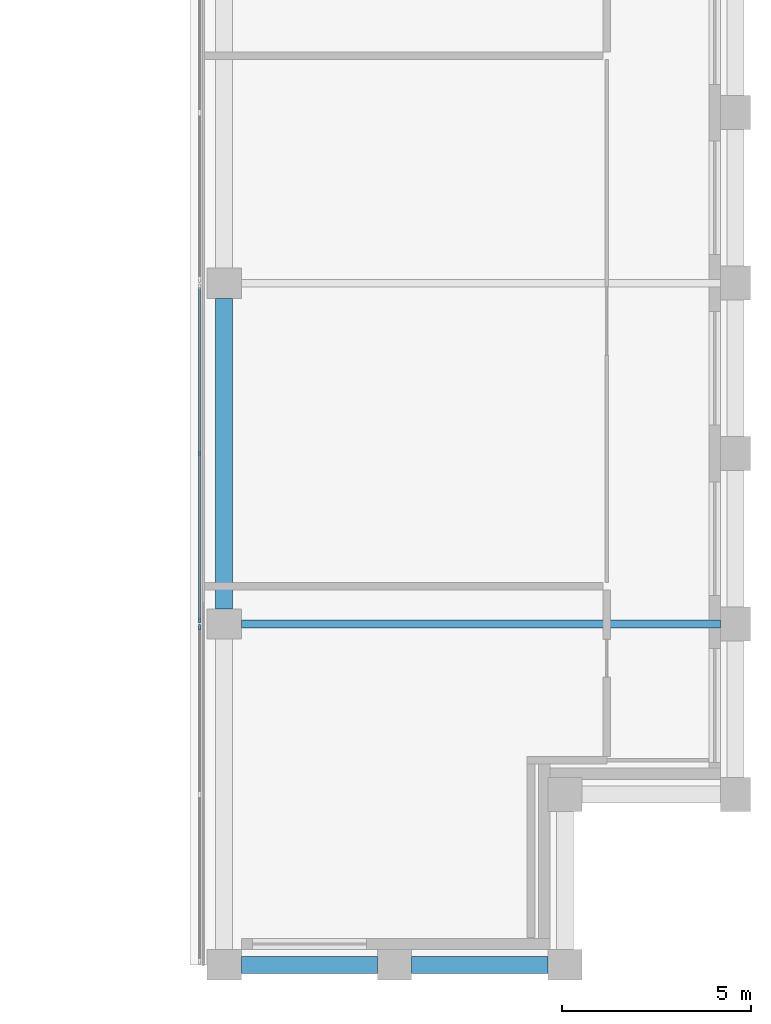
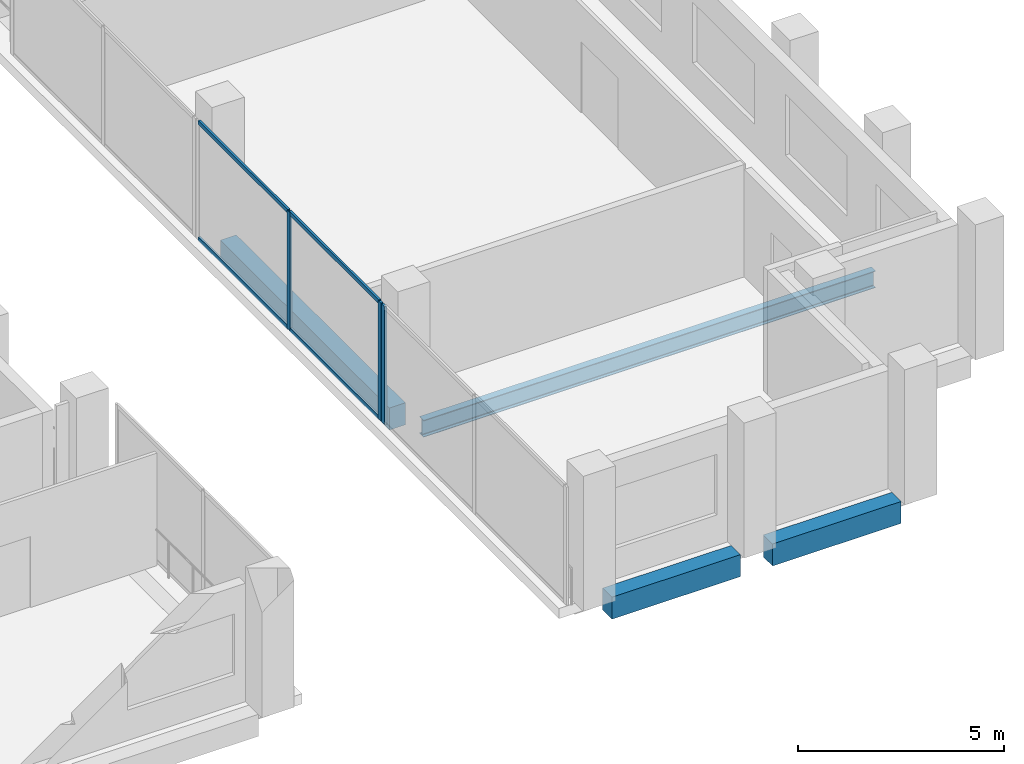
# One storey, part 3 of 9: 7 members, 4 beams, 2 elements without a shape of their own.
"""IFC4 building model written with IfcOpenShell, lengths in metres."""

from ifc_helpers import new_model, si_unit, direction, frame, origin, origin_2d, place, context, subcontext, project, spatial, rectangle, i_section, extrude, material, material_profile, profile_set, type_object, element, aggregate, save


model = new_model("IFC4")

# Units and contexts
model_context = context("Model", 3, precision=1e-05, world=origin(), true_north=direction((0.0, 1.0)))
body_context = subcontext(model_context, "Body", "Model", "MODEL_VIEW")
ifc_project = project(units=[si_unit("LENGTHUNIT", "METRE"), si_unit("AREAUNIT", "SQUARE_METRE"), si_unit("VOLUMEUNIT", "CUBIC_METRE"), si_unit("PLANEANGLEUNIT", "RADIAN"), si_unit("MASSUNIT", "GRAM", prefix="KILO")], contexts=[model_context])

# Site, building, storey
site_placement = place(None, origin())
site = spatial("IfcSite", under=ifc_project, at=site_placement, CompositionType="ELEMENT")
building_placement = place(site_placement, origin())
building = spatial("IfcBuilding", under=site, at=building_placement, Name="Brondeck Convention Tower", CompositionType="ELEMENT")
storey_placement = place(building_placement, frame((0.0, 0.0, 286.800048828125)))
storey = spatial("IfcBuildingStorey", under=building, at=storey_placement, Name="L71", CompositionType="ELEMENT", Elevation=286.800048828125)

# Curtain wall, members
ifc_material_1 = material(Name="Aluminium, bronze anodised", Category="aluminium")
curtain_wall_type = type_object("IfcCurtainWallType", Name="Crown screen curtain wall", PredefinedType="NOTDEFINED", material=ifc_material_1)
curtain_wall_1_placement = place(storey_placement, origin())
curtain_wall_1 = element("IfcCurtainWall", 1, at=curtain_wall_1_placement, inside=storey, type_object=curtain_wall_type, Name="ENV-CW4-L71-K2-SLOT-E-05", PredefinedType="NOTDEFINED")
ifc_material_profile_1 = material_profile(ifc_material_1, rectangle(XDim=0.06005859375, YDim=0.139892578125, at=origin_2d()), Name="CW4 mullion")
ifc_profile_set_1 = profile_set([ifc_material_profile_1], Name="Aluminium, bronze anodised")
member_type_1 = type_object("IfcMemberType", Name="CW4 mullion", PredefinedType="MULLION", material=ifc_profile_set_1)
member_1_placement = place(storey_placement, frame((21.85009765625, 36.090087890625, 0.0), z_axis=(0.0, 0.0, 1.0), x_axis=(-1.0, 0.0, 0.0)))
member_1 = element("IfcMember", 2, at=member_1_placement, type_object=member_type_1, Name="CW4 mullion 1", PredefinedType="MULLION", context=body_context, shape_type="SweptSolid", body=[
    extrude(rectangle(XDim=0.06005859375, YDim=0.139892578125, at=origin_2d()), origin(), (0.0, 0.0, 1.0), 3.5),
])
member_2_placement = place(storey_placement, frame((21.85009765625, 40.5, 0.0), z_axis=(0.0, 0.0, 1.0), x_axis=(-1.0, 0.0, 0.0)))
member_2 = element("IfcMember", 3, at=member_2_placement, type_object=member_type_1, Name="CW4 mullion 2", PredefinedType="MULLION", context=body_context, shape_type="SweptSolid", body=[
    extrude(rectangle(XDim=0.06005859375, YDim=0.139892578125, at=origin_2d()), origin(), (0.0, 0.0, 1.0), 3.5),
])

# Curtain wall, member
curtain_wall_2_placement = place(storey_placement, origin())
curtain_wall_2 = element("IfcCurtainWall", 4, at=curtain_wall_2_placement, inside=storey, type_object=curtain_wall_type, Name="ENV-CW4-L71-K2-SLOT-E-07-1", PredefinedType="NOTDEFINED")
member_3_placement = place(storey_placement, frame((21.85009765625, 35.909912109375, 0.0), z_axis=(0.0, 0.0, 1.0), x_axis=(-1.0, 0.0, 0.0)))
member_3 = element("IfcMember", 5, at=member_3_placement, type_object=member_type_1, Name="CW4 mullion 3", PredefinedType="MULLION", context=body_context, shape_type="SweptSolid", body=[
    extrude(rectangle(XDim=0.06005859375, YDim=0.139892578125, at=origin_2d()), origin(), (0.0, 0.0, 1.0), 3.5),
])
aggregate(curtain_wall_2, [member_3])

# Member
ifc_material_profile_2 = material_profile(ifc_material_1, rectangle(XDim=0.06005859375, YDim=0.1201171875, at=origin_2d()), Name="CW4 transom")
ifc_profile_set_2 = profile_set([ifc_material_profile_2], Name="Aluminium, bronze anodised")
member_type_2 = type_object("IfcMemberType", Name="CW4 transom", PredefinedType="USERDEFINED", material=ifc_profile_set_2)
member_4_placement = place(storey_placement, frame((21.85009765625, 36.1201171875, 0.030029296875), z_axis=(0.0, 1.0, 0.0), x_axis=(-1.0, 0.0, 0.0)))
member_4 = element("IfcMember", 6, at=member_4_placement, type_object=member_type_2, Name="CW4 transom 1.1", ObjectType="TRANSOM", PredefinedType="USERDEFINED", context=body_context, shape_type="SweptSolid", body=[
    extrude(rectangle(XDim=0.06005859375, YDim=0.1201171875, at=origin_2d()), origin(), (0.0, 0.0, 1.0), 4.349853515625),
])

member_5_placement = place(storey_placement, frame((21.85009765625, 36.1201171875, 3.469970703125), z_axis=(0.0, 1.0, 0.0), x_axis=(-1.0, 0.0, 0.0)))
member_5 = element("IfcMember", 7, at=member_5_placement, type_object=member_type_2, Name="CW4 transom 1.2", ObjectType="TRANSOM", PredefinedType="USERDEFINED", context=body_context, shape_type="SweptSolid", body=[
    extrude(rectangle(XDim=0.06005859375, YDim=0.1201171875, at=origin_2d()), origin(), (0.0, 0.0, 1.0), 4.349853515625),
])

member_6_placement = place(storey_placement, frame((21.85009765625, 40.530029296875, 0.030029296875), z_axis=(0.0, 1.0, 0.0), x_axis=(-1.0, 0.0, 0.0)))
member_6 = element("IfcMember", 8, at=member_6_placement, type_object=member_type_2, Name="CW4 transom 2.1", ObjectType="TRANSOM", PredefinedType="USERDEFINED", context=body_context, shape_type="SweptSolid", body=[
    extrude(rectangle(XDim=0.06005859375, YDim=0.1201171875, at=origin_2d()), origin(), (0.0, 0.0, 1.0), 4.349853515625),
])

member_7_placement = place(storey_placement, frame((21.85009765625, 40.530029296875, 3.469970703125), z_axis=(0.0, 1.0, 0.0), x_axis=(-1.0, 0.0, 0.0)))
member_7 = element("IfcMember", 9, at=member_7_placement, type_object=member_type_2, Name="CW4 transom 2.2", ObjectType="TRANSOM", PredefinedType="USERDEFINED", context=body_context, shape_type="SweptSolid", body=[
    extrude(rectangle(XDim=0.06005859375, YDim=0.1201171875, at=origin_2d()), origin(), (0.0, 0.0, 1.0), 4.349853515625),
])

aggregate(curtain_wall_1, [member_1, member_2, member_4, member_5, member_6, member_7])

# Beams
ifc_material_2 = material(Name="Steel S355", Category="steel")
ifc_material_profile_3 = material_profile(ifc_material_2, i_section(OverallWidth=0.199951171875, OverallDepth=0.5, WebThickness=0.01025390625, FlangeThickness=0.01611328125, FilletRadius=0.02099609375, at=origin_2d()), Name="IPE 500")
ifc_profile_set_3 = profile_set([ifc_material_profile_3], Name="Steel S355")
beam_type_1 = type_object("IfcBeamType", Name="Crown frame Floor beam IPE 500", PredefinedType="BEAM", material=ifc_profile_set_3)
beam_1_placement = place(storey_placement, frame((22.949951171875, 36.0, -0.550048828125), z_axis=(1.0, 0.0, 0.0), x_axis=(0.0, 1.0, 0.0)))
element("IfcBeam", 10, at=beam_1_placement, inside=storey, type_object=beam_type_1, Name="STR-FB-L71K2-001", PredefinedType="BEAM", context=body_context, shape_type="SweptSolid", body=[
    extrude(i_section(OverallWidth=0.199951171875, OverallDepth=0.5, WebThickness=0.01025390625, FlangeThickness=0.01611328125, FilletRadius=0.02099609375, at=origin_2d()), origin(), (0.0, 0.0, 1.0), 12.650146484375),
])
ifc_material_3 = material(Name="Concrete C50/60", Category="concrete")
ifc_material_profile_4 = material_profile(ifc_material_3, rectangle(XDim=0.449951171875, YDim=0.64990234375, at=origin_2d()), Name="Precast spandrel 450x650 Concrete C50/60")
ifc_profile_set_4 = profile_set([ifc_material_profile_4], Name="Concrete C50/60")
beam_type_2 = type_object("IfcBeamType", Name="Precast spandrel 450x650 Concrete C50/60", PredefinedType="SPANDREL", material=ifc_profile_set_4)
for number, where, z_axis, x_axis, name in (
    (11, (22.949951171875, 27.0, -0.324951171875), (1.0, 0.0, 0.0), (0.0, 1.0, 0.0), "STR-SP-L71K2-001"),
    (12, (27.449951171875, 27.0, -0.324951171875), (1.0, 0.0, 0.0), (0.0, 1.0, 0.0), "STR-SP-L71K2-002"),
):
    element("IfcBeam", number, at=place(storey_placement, frame(where, z_axis=z_axis, x_axis=x_axis)), inside=storey, type_object=beam_type_2, Name=name, PredefinedType="SPANDREL", context=body_context, shape_type="SweptSolid", body=[
        extrude(rectangle(XDim=0.449951171875, YDim=0.64990234375, at=origin_2d()), origin(), (0.0, 0.0, 1.0), 3.60009765625),
    ])
beam_2_placement = place(storey_placement, frame((22.5, 44.60009765625, -0.324951171875), z_axis=(0.0, -1.0, 0.0), x_axis=(1.0, 0.0, 0.0)))
element("IfcBeam", 13, at=beam_2_placement, inside=storey, type_object=beam_type_2, Name="STR-SP-L71K2-016", PredefinedType="SPANDREL", context=body_context, shape_type="SweptSolid", body=[
    extrude(rectangle(XDim=0.449951171875, YDim=0.64990234375, at=origin_2d()), origin(), (0.0, 0.0, 1.0), 8.2001953125),
])

save(model, "model.ifc")
